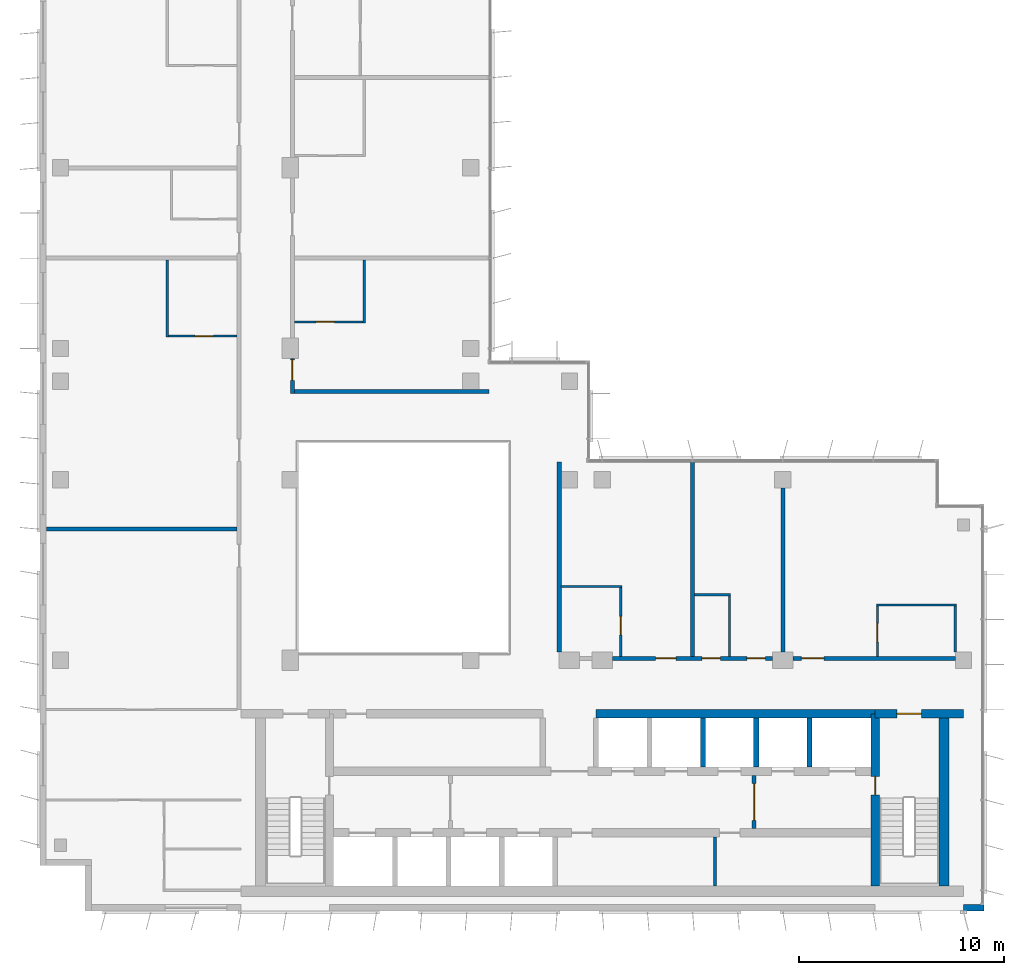
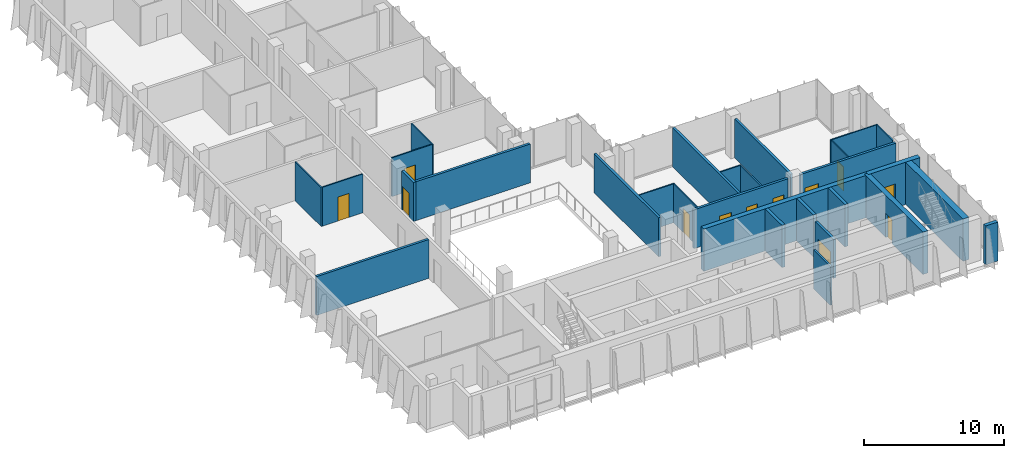
# One storey, part 10 of 15: 29 walls, 12 doors, 12 openings.
"""IFC4 building model written with IfcOpenShell, lengths in metres."""

from ifc_helpers import new_model, si_unit, direction, frame, frame_2d, origin, place, context, subcontext, project, spatial, rectangle, extrude, material, layer, layer_set, type_object, element, fill, save


model = new_model("IFC4")

# Units and contexts
model_context = context("Model", 3, precision=1e-05, world=origin(), true_north=direction((0.0, 1.0)))
body_context = subcontext(model_context, "Body", "Model", "MODEL_VIEW")
ifc_project = project(units=[si_unit("LENGTHUNIT", "METRE"), si_unit("AREAUNIT", "SQUARE_METRE"), si_unit("VOLUMEUNIT", "CUBIC_METRE"), si_unit("PLANEANGLEUNIT", "RADIAN"), si_unit("MASSUNIT", "GRAM", prefix="KILO")], contexts=[model_context])

# Site, building, storey
site_placement = place(None, origin())
site = spatial("IfcSite", under=ifc_project, at=site_placement, CompositionType="ELEMENT")
building_placement = place(site_placement, origin())
building = spatial("IfcBuilding", under=site, at=building_placement, Name="Kemantara Hotel Tower", CompositionType="ELEMENT")
storey_placement = place(building_placement, frame((0.0, 0.0, 261.10009765625)))
storey = spatial("IfcBuildingStorey", under=building, at=storey_placement, Name="L65", CompositionType="ELEMENT", Elevation=261.10009765625)

# Walls
ifc_material_1 = material(Name="Bronze anodised aluminium cladding on insulated steel stud wall", Category="steel")
ifc_layer_1 = layer(ifc_material_1, 0.300048828125)
ifc_layer_set_1 = layer_set([ifc_layer_1], Name="Bronze anodised aluminium cladding on insulated steel stud wall")
wall_type_1 = type_object("IfcWallType", Name="BRONZE METAL-CLAD EXTERNAL WALL 300", PredefinedType="STANDARD", material=ifc_layer_set_1)
wall_1_placement = place(storey_placement, frame((45.0, 0.14990234375, 0.0), z_axis=(0.0, 0.0, 1.0), x_axis=(1.0, 0.0, 0.0)))
element("IfcWall", 1, at=wall_1_placement, inside=storey, type_object=wall_type_1, Name="EXTERNAL WALL L65 T4-R08-3", PredefinedType="STANDARD", context=body_context, shape_type="SweptSolid", body=[
    extrude(rectangle(XDim=1.0, YDim=0.300048828125, at=frame_2d((0.5, 0.0))), origin(), (0.0, 0.0, 1.0), 3.39990234375),
])
ifc_material_2 = material(Name="Concrete fc 50 MPa", Category="concrete")
ifc_layer_2 = layer(ifc_material_2, 0.25)
ifc_layer_set_2 = layer_set([ifc_layer_2], Name="Concrete fc 50 MPa")
wall_type_2 = type_object("IfcWallType", Name="CORE WALL 250 FC50", PredefinedType="SHEAR", material=ifc_layer_set_2)
for number, where, z_axis, x_axis, name in (
    (2, (32.300048828125, 7.0, 0.0), (0.0, 0.0, 1.0), (0.0, 1.0, 0.0), "CORE WALL CW-DN32.3"),
    (3, (34.89990234375, 7.0, 0.0), (0.0, 0.0, 1.0), (0.0, 1.0, 0.0), "CORE WALL CW-DN34.9"),
    (4, (37.5, 7.0, 0.0), (0.0, 0.0, 1.0), (0.0, 1.0, 0.0), "CORE WALL CW-DN37.5"),
):
    element("IfcWall", number, at=place(storey_placement, frame(where, z_axis=z_axis, x_axis=x_axis)), inside=storey, type_object=wall_type_2, Name=name, PredefinedType="SHEAR", context=body_context, shape_type="SweptSolid", body=[
        extrude(rectangle(XDim=2.39990234375, YDim=0.25, at=frame_2d((1.199951171875, 0.0))), origin(), (0.0, 0.0, 1.0), 3.699951171875),
    ])

# Wall, opening, door
ifc_layer_3 = layer(ifc_material_2, 0.39990234375)
ifc_layer_set_3 = layer_set([ifc_layer_3], Name="Concrete fc 50 MPa")
wall_type_3 = type_object("IfcWallType", Name="CORE WALL 400 FC50", PredefinedType="SHEAR", material=ifc_layer_set_3)
wall_2_placement = place(storey_placement, frame((40.699951171875, 9.60009765625, 0.0), z_axis=(0.0, 0.0, 1.0), x_axis=(1.0, 0.0, 0.0)))
wall_2 = element("IfcWall", 5, at=wall_2_placement, inside=storey, type_object=wall_type_3, Name="CORE WALL CW-N2", PredefinedType="SHEAR", context=body_context, shape_type="SweptSolid", body=[
    extrude(rectangle(XDim=4.300048828125, YDim=0.39990234375, at=frame_2d((2.14990234375, 0.0))), origin(), (0.0, 0.0, 1.0), 3.699951171875),
])
opening_1_placement = place(wall_2_placement, frame((1.050048828125, 0.0, 0.0)))
opening_1 = element("IfcOpeningElement", 6, at=opening_1_placement, cuts=wall_2, Name="Opening C39-ST2-C", PredefinedType="OPENING", context=body_context, shape_type="SweptSolid", body=[
    extrude(rectangle(XDim=1.199951171875, YDim=2.10009765625, at=frame_2d((0.60009765625, 1.050048828125))), frame((0.0, 0.2099609375, 0.0), z_axis=(0.0, -1.0, 0.0), x_axis=(1.0, 0.0, 0.0)), (0.0, 0.0, 1.0), 0.419921875),
])
ifc_material_3 = material(Name="Steel fire door", Category="steel")
door_type_1 = type_object("IfcDoorType", Name="Fire door FD90 1200 x 2100", OperationType="NOTDEFINED", PredefinedType="DOOR", material=ifc_material_3)
door_1_placement = place(opening_1_placement, frame((1.199951171875, 0.0, 0.0), z_axis=(0.0, 0.0, 1.0), x_axis=(-1.0, 0.0, 0.0)))
door_1 = element("IfcDoor", 7, at=door_1_placement, inside=storey, type_object=door_type_1, Name="Stair ST2 door to corridor", OperationType="SINGLE_SWING_RIGHT", OverallHeight=2.10009765625, OverallWidth=1.199951171875, PredefinedType="DOOR", context=body_context, shape_type="SweptSolid", body=[
    extrude(rectangle(XDim=1.199951171875, YDim=2.10009765625, at=frame_2d((0.60009765625, 1.050048828125))), frame((0.0, 0.02490234375, 0.0), z_axis=(0.0, -1.0, 0.0), x_axis=(1.0, 0.0, 0.0)), (0.0, 0.0, 1.0), 0.050048828125),
])
fill(opening_1, door_1)

# Wall
wall_3_placement = place(storey_placement, frame((27.10009765625, 9.60009765625, 0.0), z_axis=(0.0, 0.0, 1.0), x_axis=(1.0, 0.0, 0.0)))
element("IfcWall", 8, at=wall_3_placement, inside=storey, type_object=wall_type_3, Name="CORE WALL CW-NN2", PredefinedType="SHEAR", context=body_context, shape_type="SweptSolid", body=[
    extrude(rectangle(XDim=13.599853515625, YDim=0.39990234375, at=frame_2d((6.7998046875, 0.0))), origin(), (0.0, 0.0, 1.0), 3.699951171875),
])

# Wall, opening, door
wall_4_placement = place(storey_placement, frame((40.699951171875, 1.199951171875, 0.0), z_axis=(0.0, 0.0, 1.0), x_axis=(0.0, 1.0, 0.0)))
wall_4 = element("IfcWall", 9, at=wall_4_placement, inside=storey, type_object=wall_type_3, Name="CORE WALL CW-ST2W", PredefinedType="SHEAR", context=body_context, shape_type="SweptSolid", body=[
    extrude(rectangle(XDim=8.400146484375, YDim=0.39990234375, at=frame_2d((4.2001953125, 0.0))), origin(), (0.0, 0.0, 1.0), 3.699951171875),
])
opening_2_placement = place(wall_4_placement, frame((4.449951171875, 0.0, 0.0)))
opening_2 = element("IfcOpeningElement", 10, at=opening_2_placement, cuts=wall_4, Name="Opening C39-ST2-F", PredefinedType="OPENING", context=body_context, shape_type="SweptSolid", body=[
    extrude(rectangle(XDim=0.89990234375, YDim=2.10009765625, at=frame_2d((0.449951171875, 1.050048828125))), frame((0.0, 0.2099609375, 0.0), z_axis=(0.0, -1.0, 0.0), x_axis=(1.0, 0.0, 0.0)), (0.0, 0.0, 1.0), 0.419921875),
])
door_type_2 = type_object("IfcDoorType", Name="Fire door FD90 900 x 2100", OperationType="NOTDEFINED", PredefinedType="DOOR", material=ifc_material_3)
door_2_placement = place(opening_2_placement, frame((0.89990234375, 0.0, 0.0), z_axis=(0.0, 0.0, 1.0), x_axis=(-1.0, 0.0, 0.0)))
door_2 = element("IfcDoor", 11, at=door_2_placement, inside=storey, type_object=door_type_2, Name="Stair ST2 door to firefighting lobby", OperationType="SINGLE_SWING_LEFT", OverallHeight=2.10009765625, OverallWidth=0.89990234375, PredefinedType="DOOR", context=body_context, shape_type="SweptSolid", body=[
    extrude(rectangle(XDim=0.89990234375, YDim=2.10009765625, at=frame_2d((0.449951171875, 1.050048828125))), frame((0.0, 0.02490234375, 0.0), z_axis=(0.0, -1.0, 0.0), x_axis=(1.0, 0.0, 0.0)), (0.0, 0.0, 1.0), 0.050048828125),
])
fill(opening_2, door_2)

# Wall
ifc_layer_4 = layer(ifc_material_2, 0.5)
ifc_layer_set_4 = layer_set([ifc_layer_4], Name="Concrete fc 50 MPa")
wall_type_4 = type_object("IfcWallType", Name="CORE WALL 500 FC50", PredefinedType="SHEAR", material=ifc_layer_set_4)
wall_5_placement = place(storey_placement, frame((44.050048828125, 1.199951171875, 0.0), z_axis=(0.0, 0.0, 1.0), x_axis=(0.0, 1.0, 0.0)))
element("IfcWall", 12, at=wall_5_placement, inside=storey, type_object=wall_type_4, Name="CORE WALL CW-E", PredefinedType="SHEAR", context=body_context, shape_type="SweptSolid", body=[
    extrude(rectangle(XDim=8.60009765625, YDim=0.5, at=frame_2d((4.300048828125, 0.0))), origin(), (0.0, 0.0, 1.0), 3.699951171875),
])

# Wall, openings, doors
ifc_material_4 = material(Name="Gypsum board partition, steel studs and mineral wool, 200 mm", Category="steel")
ifc_layer_5 = layer(ifc_material_4, 0.199951171875)
ifc_layer_set_5 = layer_set([ifc_layer_5], Name="Gypsum board partition, steel studs and mineral wool, 200 mm")
wall_type_5 = type_object("IfcWallType", Name="CORRIDOR WALL 200", PredefinedType="PARTITIONING", material=ifc_layer_set_5)
wall_6_placement = place(storey_placement, frame((27.900146484375, 12.300048828125, 0.0), z_axis=(0.0, 0.0, 1.0), x_axis=(1.0, 0.0, 0.0)))
wall_6 = element("IfcWall", 13, at=wall_6_placement, inside=storey, type_object=wall_type_5, Name="CORRIDOR WALL 200 002", PredefinedType="PARTITIONING", context=body_context, shape_type="SweptSolid", body=[
    extrude(rectangle(XDim=7.7998046875, YDim=0.199951171875, at=frame_2d((3.89990234375, 0.0))), origin(), (0.0, 0.0, 1.0), 3.39990234375),
])
opening_3_placement = place(wall_6_placement, frame((2.099853515625, 0.0, 0.0)))
opening_3 = element("IfcOpeningElement", 14, at=opening_3_placement, cuts=wall_6, Name="Opening F32-001", PredefinedType="OPENING", context=body_context, shape_type="SweptSolid", body=[
    extrude(rectangle(XDim=1.0, YDim=2.10009765625, at=frame_2d((0.5, 1.050048828125))), frame((0.0, 0.10986328125, 0.0), z_axis=(0.0, -1.0, 0.0), x_axis=(1.0, 0.0, 0.0)), (0.0, 0.0, 1.0), 0.219970703125),
])
opening_4_placement = place(wall_6_placement, frame((6.5498046875, 0.0, 0.0)))
opening_4 = element("IfcOpeningElement", 15, at=opening_4_placement, cuts=wall_6, Name="Opening F32-003", PredefinedType="OPENING", context=body_context, shape_type="SweptSolid", body=[
    extrude(rectangle(XDim=0.89990234375, YDim=2.10009765625, at=frame_2d((0.449951171875, 1.050048828125))), frame((0.0, 0.10986328125, 0.0), z_axis=(0.0, -1.0, 0.0), x_axis=(1.0, 0.0, 0.0)), (0.0, 0.0, 1.0), 0.219970703125),
])
opening_5_placement = place(wall_6_placement, frame((4.349853515625, 0.0, 0.0)))
opening_5 = element("IfcOpeningElement", 16, at=opening_5_placement, cuts=wall_6, Name="Opening F32-004", PredefinedType="OPENING", context=body_context, shape_type="SweptSolid", body=[
    extrude(rectangle(XDim=0.89990234375, YDim=2.10009765625, at=frame_2d((0.449951171875, 1.050048828125))), frame((0.0, 0.10986328125, 0.0), z_axis=(0.0, -1.0, 0.0), x_axis=(1.0, 0.0, 0.0)), (0.0, 0.0, 1.0), 0.219970703125),
])
ifc_material_5 = material(Name="Hardwood veneer door leaf with steel frame", Category="steel")
door_type_3 = type_object("IfcDoorType", Name="GUEST ROOM DOOR 1000 X 2100 FD30S", OperationType="NOTDEFINED", PredefinedType="DOOR", material=ifc_material_5)
door_3_placement = place(opening_3_placement, origin())
door_3 = element("IfcDoor", 17, at=door_3_placement, inside=storey, type_object=door_type_3, Name="GUEST ROOM DOOR F32-001", OperationType="SINGLE_SWING_RIGHT", OverallHeight=2.10009765625, OverallWidth=1.0, PredefinedType="DOOR", context=body_context, shape_type="SweptSolid", body=[
    extrude(rectangle(XDim=1.0, YDim=2.10009765625, at=frame_2d((0.5, 1.050048828125))), frame((0.0, 0.02490234375, 0.0), z_axis=(0.0, -1.0, 0.0), x_axis=(1.0, 0.0, 0.0)), (0.0, 0.0, 1.0), 0.050048828125),
])
fill(opening_3, door_3)
ifc_material_6 = material(Name="Steel door leaf with steel frame", Category="steel")
door_type_4 = type_object("IfcDoorType", Name="SERVICE ROOM DOOR 900 X 2100 FD60", OperationType="NOTDEFINED", PredefinedType="DOOR", material=ifc_material_6)
door_4_placement = place(opening_4_placement, origin())
door_4 = element("IfcDoor", 18, at=door_4_placement, inside=storey, type_object=door_type_4, Name="SERVICE ROOM DOOR F32-003", OperationType="SINGLE_SWING_RIGHT", OverallHeight=2.10009765625, OverallWidth=0.89990234375, PredefinedType="DOOR", context=body_context, shape_type="SweptSolid", body=[
    extrude(rectangle(XDim=0.89990234375, YDim=2.10009765625, at=frame_2d((0.449951171875, 1.050048828125))), frame((0.0, 0.02490234375, 0.0), z_axis=(0.0, -1.0, 0.0), x_axis=(1.0, 0.0, 0.0)), (0.0, 0.0, 1.0), 0.050048828125),
])
fill(opening_4, door_4)
door_5_placement = place(opening_5_placement, origin())
door_5 = element("IfcDoor", 19, at=door_5_placement, inside=storey, type_object=door_type_4, Name="SERVICE ROOM DOOR F32-004", OperationType="SINGLE_SWING_LEFT", OverallHeight=2.10009765625, OverallWidth=0.89990234375, PredefinedType="DOOR", context=body_context, shape_type="SweptSolid", body=[
    extrude(rectangle(XDim=0.89990234375, YDim=2.10009765625, at=frame_2d((0.449951171875, 1.050048828125))), frame((0.0, 0.02490234375, 0.0), z_axis=(0.0, -1.0, 0.0), x_axis=(1.0, 0.0, 0.0)), (0.0, 0.0, 1.0), 0.050048828125),
])
fill(opening_5, door_5)

# Wall, opening, door
wall_7_placement = place(storey_placement, frame((36.7001953125, 12.300048828125, 0.0), z_axis=(0.0, 0.0, 1.0), x_axis=(1.0, 0.0, 0.0)))
wall_7 = element("IfcWall", 20, at=wall_7_placement, inside=storey, type_object=wall_type_5, Name="CORRIDOR WALL 200 003", PredefinedType="PARTITIONING", context=body_context, shape_type="SweptSolid", body=[
    extrude(rectangle(XDim=7.899658203125, YDim=0.199951171875, at=frame_2d((3.94970703125, 0.0))), origin(), (0.0, 0.0, 1.0), 3.39990234375),
])
opening_6_placement = place(wall_7_placement, frame((0.39990234375, 0.0, 0.0)))
opening_6 = element("IfcOpeningElement", 21, at=opening_6_placement, cuts=wall_7, Name="Opening F32-005", PredefinedType="OPENING", context=body_context, shape_type="SweptSolid", body=[
    extrude(rectangle(XDim=1.10009765625, YDim=2.10009765625, at=frame_2d((0.550048828125, 1.050048828125))), frame((0.0, 0.10986328125, 0.0), z_axis=(0.0, -1.0, 0.0), x_axis=(1.0, 0.0, 0.0)), (0.0, 0.0, 1.0), 0.219970703125),
])
door_type_5 = type_object("IfcDoorType", Name="SUITE ENTRANCE DOOR 1100 X 2100 FD30S", OperationType="NOTDEFINED", PredefinedType="DOOR", material=ifc_material_5)
door_6_placement = place(opening_6_placement, origin())
door_6 = element("IfcDoor", 22, at=door_6_placement, inside=storey, type_object=door_type_5, Name="SUITE ENTRANCE DOOR F32-005", OperationType="SINGLE_SWING_LEFT", OverallHeight=2.10009765625, OverallWidth=1.10009765625, PredefinedType="DOOR", context=body_context, shape_type="SweptSolid", body=[
    extrude(rectangle(XDim=1.10009765625, YDim=2.10009765625, at=frame_2d((0.550048828125, 1.050048828125))), frame((0.0, 0.02490234375, 0.0), z_axis=(0.0, -1.0, 0.0), x_axis=(1.0, 0.0, 0.0)), (0.0, 0.0, 1.0), 0.050048828125),
])
fill(opening_6, door_6)

wall_8_placement = place(storey_placement, frame((12.300048828125, 26.89990234375, 0.0), z_axis=(0.0, 0.0, 1.0), x_axis=(0.0, -1.0, 0.0)))
wall_8 = element("IfcWall", 23, at=wall_8_placement, inside=storey, type_object=wall_type_5, Name="CORRIDOR WALL 200 014", PredefinedType="PARTITIONING", context=body_context, shape_type="SweptSolid", body=[
    extrude(rectangle(XDim=1.699951171875, YDim=0.199951171875, at=frame_2d((0.85009765625, 0.0))), origin(), (0.0, 0.0, 1.0), 3.39990234375),
])
opening_7_placement = place(wall_8_placement, frame((0.0498046875, 0.0, 0.0)))
opening_7 = element("IfcOpeningElement", 24, at=opening_7_placement, cuts=wall_8, Name="Opening F32-020", PredefinedType="OPENING", context=body_context, shape_type="SweptSolid", body=[
    extrude(rectangle(XDim=1.0, YDim=2.10009765625, at=frame_2d((0.5, 1.050048828125))), frame((0.0, 0.10986328125, 0.0), z_axis=(0.0, -1.0, 0.0), x_axis=(1.0, 0.0, 0.0)), (0.0, 0.0, 1.0), 0.219970703125),
])
door_7_placement = place(opening_7_placement, origin())
door_7 = element("IfcDoor", 25, at=door_7_placement, inside=storey, type_object=door_type_3, Name="GUEST ROOM DOOR F32-020", OperationType="SINGLE_SWING_RIGHT", OverallHeight=2.10009765625, OverallWidth=1.0, PredefinedType="DOOR", context=body_context, shape_type="SweptSolid", body=[
    extrude(rectangle(XDim=1.0, YDim=2.10009765625, at=frame_2d((0.5, 1.050048828125))), frame((0.0, 0.02490234375, 0.0), z_axis=(0.0, -1.0, 0.0), x_axis=(1.0, 0.0, 0.0)), (0.0, 0.0, 1.0), 0.050048828125),
])
fill(opening_7, door_7)

# Walls
ifc_layer_6 = layer(ifc_material_4, 0.199951171875)
ifc_layer_set_6 = layer_set([ifc_layer_6], Name="Gypsum board partition, steel studs and mineral wool, 200 mm")
wall_type_6 = type_object("IfcWallType", Name="GUEST ROOM PARTY WALL 200", PredefinedType="PARTITIONING", material=ifc_layer_set_6)
wall_9_placement = place(storey_placement, frame((25.300048828125, 12.60009765625, 0.0), z_axis=(0.0, 0.0, 1.0), x_axis=(0.0, 1.0, 0.0)))
element("IfcWall", 26, at=wall_9_placement, inside=storey, type_object=wall_type_6, Name="GUEST ROOM PARTY WALL 200 004", PredefinedType="PARTITIONING", context=body_context, shape_type="SweptSolid", body=[
    extrude(rectangle(XDim=9.27001953125, YDim=0.199951171875, at=frame_2d((4.635009765625, 0.0))), origin(), (0.0, 0.0, 1.0), 3.39990234375),
])
wall_10_placement = place(storey_placement, frame((31.800048828125, 12.39990234375, 0.0), z_axis=(0.0, 0.0, 1.0), x_axis=(0.0, 1.0, 0.0)))
element("IfcWall", 27, at=wall_10_placement, inside=storey, type_object=wall_type_6, Name="GUEST ROOM PARTY WALL 200 005", PredefinedType="PARTITIONING", context=body_context, shape_type="SweptSolid", body=[
    extrude(rectangle(XDim=9.47021484375, YDim=0.199951171875, at=frame_2d((4.735107421875, 0.0))), origin(), (0.0, 0.0, 1.0), 3.39990234375),
])
wall_11_placement = place(storey_placement, frame((36.199951171875, 12.60009765625, 0.0), z_axis=(0.0, 0.0, 1.0), x_axis=(0.0, 1.0, 0.0)))
element("IfcWall", 28, at=wall_11_placement, inside=storey, type_object=wall_type_6, Name="GUEST ROOM PARTY WALL 200 006", PredefinedType="PARTITIONING", context=body_context, shape_type="SweptSolid", body=[
    extrude(rectangle(XDim=7.999755859375, YDim=0.199951171875, at=frame_2d((4.0, 0.0))), origin(), (0.0, 0.0, 1.0), 3.39990234375),
])
wall_12_placement = place(storey_placement, frame((0.31005859375, 18.60009765625, 0.0), z_axis=(0.0, 0.0, 1.0), x_axis=(1.0, 0.0, 0.0)))
element("IfcWall", 29, at=wall_12_placement, inside=storey, type_object=wall_type_6, Name="GUEST ROOM PARTY WALL 200 009", PredefinedType="PARTITIONING", context=body_context, shape_type="SweptSolid", body=[
    extrude(rectangle(XDim=9.2900390625, YDim=0.199951171875, at=frame_2d((4.64501953125, 0.0))), origin(), (0.0, 0.0, 1.0), 3.39990234375),
])
wall_13_placement = place(storey_placement, frame((12.39990234375, 25.300048828125, 0.0), z_axis=(0.0, 0.0, 1.0), x_axis=(1.0, 0.0, 0.0)))
element("IfcWall", 30, at=wall_13_placement, inside=storey, type_object=wall_type_6, Name="GUEST ROOM PARTY WALL 200 019", PredefinedType="PARTITIONING", context=body_context, shape_type="SweptSolid", body=[
    extrude(rectangle(XDim=9.47021484375, YDim=0.199951171875, at=frame_2d((4.735107421875, 0.0))), origin(), (0.0, 0.0, 1.0), 3.39990234375),
])
ifc_material_7 = material(Name="Gypsum board partition")
ifc_layer_7 = layer(ifc_material_7, 0.14990234375)
ifc_layer_set_7 = layer_set([ifc_layer_7], Name="Gypsum board partition")
wall_type_7 = type_object("IfcWallType", Name="Gypsum board partition 150 mm", PredefinedType="PARTITIONING", material=ifc_layer_set_7)
wall_14_placement = place(storey_placement, frame((32.89990234375, 1.199951171875, 0.0), z_axis=(0.0, 0.0, 1.0), x_axis=(0.0, 1.0, 0.0)))
element("IfcWall", 31, at=wall_14_placement, inside=storey, type_object=wall_type_7, Name="Core room partition", PredefinedType="PARTITIONING", context=body_context, shape_type="SweptSolid", body=[
    extrude(rectangle(XDim=2.400146484375, YDim=0.14990234375, at=frame_2d((1.2001953125, 0.0))), origin(), (0.0, 0.0, 1.0), 3.39990234375),
])

# Wall, opening, door
ifc_material_8 = material(Name="Gypsum board shaft wall")
ifc_layer_8 = layer(ifc_material_8, 0.199951171875)
ifc_layer_set_8 = layer_set([ifc_layer_8], Name="Gypsum board shaft wall")
wall_type_8 = type_object("IfcWallType", Name="Gypsum board shaft wall 200 mm", PredefinedType="PARTITIONING", material=ifc_layer_set_8)
wall_15_placement = place(storey_placement, frame((34.800048828125, 4.0, 0.0), z_axis=(0.0, 0.0, 1.0), x_axis=(0.0, 1.0, 0.0)))
wall_15 = element("IfcWall", 32, at=wall_15_placement, inside=storey, type_object=wall_type_8, Name="Firefighting lobby partition east", PredefinedType="PARTITIONING", context=body_context, shape_type="SweptSolid", body=[
    extrude(rectangle(XDim=2.60009765625, YDim=0.199951171875, at=frame_2d((1.300048828125, 0.0))), origin(), (0.0, 0.0, 1.0), 3.39990234375),
])
opening_8_placement = place(wall_15_placement, frame((0.39990234375, 0.0, 0.0)))
opening_8 = element("IfcOpeningElement", 33, at=opening_8_placement, cuts=wall_15, Name="Opening C39-FFE", PredefinedType="OPENING", context=body_context, shape_type="SweptSolid", body=[
    extrude(rectangle(XDim=1.800048828125, YDim=2.10009765625, at=frame_2d((0.89990234375, 1.050048828125))), frame((0.0, 0.10986328125, 0.0), z_axis=(0.0, -1.0, 0.0), x_axis=(1.0, 0.0, 0.0)), (0.0, 0.0, 1.0), 0.219970703125),
])
door_type_6 = type_object("IfcDoorType", Name="Fire door pair FD60 1800 x 2100", OperationType="DOUBLE_DOOR_SINGLE_SWING", PredefinedType="DOOR", material=ifc_material_3)
door_8_placement = place(opening_8_placement, frame((1.800048828125, 0.0, 0.0), z_axis=(0.0, 0.0, 1.0), x_axis=(-1.0, 0.0, 0.0)))
door_8 = element("IfcDoor", 34, at=door_8_placement, inside=storey, type_object=door_type_6, Name="Firefighting lobby door east", OperationType="DOUBLE_DOOR_SINGLE_SWING", OverallHeight=2.10009765625, OverallWidth=1.800048828125, PredefinedType="DOOR", context=body_context, shape_type="SweptSolid", body=[
    extrude(rectangle(XDim=1.800048828125, YDim=2.10009765625, at=frame_2d((0.89990234375, 1.050048828125))), frame((0.0, 0.02490234375, 0.0), z_axis=(0.0, -1.0, 0.0), x_axis=(1.0, 0.0, 0.0)), (0.0, 0.0, 1.0), 0.050048828125),
])
fill(opening_8, door_8)

# Wall
ifc_material_9 = material(Name="Gypsum board partition on steel studs, 100 mm", Category="steel")
ifc_layer_9 = layer(ifc_material_9, 0.10009765625)
ifc_layer_set_9 = layer_set([ifc_layer_9], Name="Gypsum board partition on steel studs, 100 mm")
wall_type_9 = type_object("IfcWallType", Name="ROOM PARTITION 100", PredefinedType="PARTITIONING", material=ifc_layer_set_9)
wall_16_placement = place(storey_placement, frame((25.39990234375, 15.800048828125, 0.0), z_axis=(0.0, 0.0, 1.0), x_axis=(1.0, 0.0, 0.0)))
element("IfcWall", 35, at=wall_16_placement, inside=storey, type_object=wall_type_9, Name="ROOM PARTITION 100 022", PredefinedType="PARTITIONING", context=body_context, shape_type="SweptSolid", body=[
    extrude(rectangle(XDim=2.9501953125, YDim=0.10009765625, at=frame_2d((1.47509765625, 0.0))), origin(), (0.0, 0.0, 1.0), 3.39990234375),
])

# Wall, opening, door
wall_17_placement = place(storey_placement, frame((28.300048828125, 12.39990234375, 0.0), z_axis=(0.0, 0.0, 1.0), x_axis=(0.0, 1.0, 0.0)))
wall_17 = element("IfcWall", 36, at=wall_17_placement, inside=storey, type_object=wall_type_9, Name="ROOM PARTITION 100 023", PredefinedType="PARTITIONING", context=body_context, shape_type="SweptSolid", body=[
    extrude(rectangle(XDim=3.35009765625, YDim=0.10009765625, at=frame_2d((1.675048828125, 0.0))), origin(), (0.0, 0.0, 1.0), 3.39990234375),
])
opening_9_placement = place(wall_17_placement, frame((1.050048828125, 0.0, 0.0)))
opening_9 = element("IfcOpeningElement", 37, at=opening_9_placement, cuts=wall_17, Name="Opening F32-002", PredefinedType="OPENING", context=body_context, shape_type="SweptSolid", body=[
    extrude(rectangle(XDim=0.89990234375, YDim=2.10009765625, at=frame_2d((0.449951171875, 1.050048828125))), frame((0.0, 0.06005859375, 0.0), z_axis=(0.0, -1.0, 0.0), x_axis=(1.0, 0.0, 0.0)), (0.0, 0.0, 1.0), 0.1201171875),
])
door_type_7 = type_object("IfcDoorType", Name="BATHROOM DOOR 900 X 2100", OperationType="NOTDEFINED", PredefinedType="DOOR", material=ifc_material_5)
door_9_placement = place(opening_9_placement, origin())
door_9 = element("IfcDoor", 38, at=door_9_placement, inside=storey, type_object=door_type_7, Name="BATHROOM DOOR F32-002", OperationType="SINGLE_SWING_LEFT", OverallHeight=2.10009765625, OverallWidth=0.89990234375, PredefinedType="DOOR", context=body_context, shape_type="SweptSolid", body=[
    extrude(rectangle(XDim=0.89990234375, YDim=2.10009765625, at=frame_2d((0.449951171875, 1.050048828125))), frame((0.0, 0.02490234375, 0.0), z_axis=(0.0, -1.0, 0.0), x_axis=(1.0, 0.0, 0.0)), (0.0, 0.0, 1.0), 0.050048828125),
])
fill(opening_9, door_9)

# Walls
wall_18_placement = place(storey_placement, frame((31.89990234375, 15.39990234375, 0.0), z_axis=(0.0, 0.0, 1.0), x_axis=(1.0, 0.0, 0.0)))
element("IfcWall", 39, at=wall_18_placement, inside=storey, type_object=wall_type_9, Name="ROOM PARTITION 100 024", PredefinedType="PARTITIONING", context=body_context, shape_type="SweptSolid", body=[
    extrude(rectangle(XDim=1.75, YDim=0.10009765625, at=frame_2d((0.875, 0.0))), origin(), (0.0, 0.0, 1.0), 3.39990234375),
])
wall_19_placement = place(storey_placement, frame((33.60009765625, 12.39990234375, 0.0), z_axis=(0.0, 0.0, 1.0), x_axis=(0.0, 1.0, 0.0)))
element("IfcWall", 40, at=wall_19_placement, inside=storey, type_object=wall_type_9, Name="ROOM PARTITION 100 025", PredefinedType="PARTITIONING", context=body_context, shape_type="SweptSolid", body=[
    extrude(rectangle(XDim=2.9501953125, YDim=0.10009765625, at=frame_2d((1.47509765625, 0.0))), origin(), (0.0, 0.0, 1.0), 3.39990234375),
])
wall_20_placement = place(storey_placement, frame((40.75, 14.89990234375, 0.0), z_axis=(0.0, 0.0, 1.0), x_axis=(1.0, 0.0, 0.0)))
element("IfcWall", 41, at=wall_20_placement, inside=storey, type_object=wall_type_9, Name="ROOM PARTITION 100 026", PredefinedType="PARTITIONING", context=body_context, shape_type="SweptSolid", body=[
    extrude(rectangle(XDim=3.89990234375, YDim=0.10009765625, at=frame_2d((1.949951171875, 0.0))), origin(), (0.0, 0.0, 1.0), 3.39990234375),
])

# Wall, opening, door
wall_21_placement = place(storey_placement, frame((40.800048828125, 14.85009765625, 0.0), z_axis=(0.0, 0.0, 1.0), x_axis=(0.0, -1.0, 0.0)))
wall_21 = element("IfcWall", 42, at=wall_21_placement, inside=storey, type_object=wall_type_9, Name="ROOM PARTITION 100 027", PredefinedType="PARTITIONING", context=body_context, shape_type="SweptSolid", body=[
    extrude(rectangle(XDim=2.4501953125, YDim=0.10009765625, at=frame_2d((1.22509765625, 0.0))), origin(), (0.0, 0.0, 1.0), 3.39990234375),
])
opening_10_placement = place(wall_21_placement, frame((0.85009765625, 0.0, 0.0)))
opening_10 = element("IfcOpeningElement", 43, at=opening_10_placement, cuts=wall_21, Name="Opening F32-006", PredefinedType="OPENING", context=body_context, shape_type="SweptSolid", body=[
    extrude(rectangle(XDim=0.89990234375, YDim=2.10009765625, at=frame_2d((0.449951171875, 1.050048828125))), frame((0.0, 0.06005859375, 0.0), z_axis=(0.0, -1.0, 0.0), x_axis=(1.0, 0.0, 0.0)), (0.0, 0.0, 1.0), 0.1201171875),
])
door_10_placement = place(opening_10_placement, origin())
door_10 = element("IfcDoor", 44, at=door_10_placement, inside=storey, type_object=door_type_7, Name="BATHROOM DOOR F32-006", OperationType="SINGLE_SWING_RIGHT", OverallHeight=2.10009765625, OverallWidth=0.89990234375, PredefinedType="DOOR", context=body_context, shape_type="SweptSolid", body=[
    extrude(rectangle(XDim=0.89990234375, YDim=2.10009765625, at=frame_2d((0.449951171875, 1.050048828125))), frame((0.0, 0.02490234375, 0.0), z_axis=(0.0, -1.0, 0.0), x_axis=(1.0, 0.0, 0.0)), (0.0, 0.0, 1.0), 0.050048828125),
])
fill(opening_10, door_10)

# Walls
wall_22_placement = place(storey_placement, frame((44.60009765625, 12.60009765625, 0.0), z_axis=(0.0, 0.0, 1.0), x_axis=(0.0, 1.0, 0.0)))
element("IfcWall", 45, at=wall_22_placement, inside=storey, type_object=wall_type_9, Name="ROOM PARTITION 100 028", PredefinedType="PARTITIONING", context=body_context, shape_type="SweptSolid", body=[
    extrude(rectangle(XDim=2.25, YDim=0.10009765625, at=frame_2d((1.125, 0.0))), origin(), (0.0, 0.0, 1.0), 3.39990234375),
])
wall_23_placement = place(storey_placement, frame((6.199951171875, 27.949951171875, 0.0), z_axis=(0.0, 0.0, 1.0), x_axis=(0.0, 1.0, 0.0)))
element("IfcWall", 46, at=wall_23_placement, inside=storey, type_object=wall_type_9, Name="ROOM PARTITION 100 034", PredefinedType="PARTITIONING", context=body_context, shape_type="SweptSolid", body=[
    extrude(rectangle(XDim=3.75, YDim=0.10009765625, at=frame_2d((1.875, 0.0))), origin(), (0.0, 0.0, 1.0), 3.39990234375),
])

# Wall, opening, door
wall_24_placement = place(storey_placement, frame((6.25, 28.0, 0.0), z_axis=(0.0, 0.0, 1.0), x_axis=(1.0, 0.0, 0.0)))
wall_24 = element("IfcWall", 47, at=wall_24_placement, inside=storey, type_object=wall_type_9, Name="ROOM PARTITION 100 037", PredefinedType="PARTITIONING", context=body_context, shape_type="SweptSolid", body=[
    extrude(rectangle(XDim=3.35009765625, YDim=0.10009765625, at=frame_2d((1.675048828125, 0.0))), origin(), (0.0, 0.0, 1.0), 3.39990234375),
])
opening_11_placement = place(wall_24_placement, frame((1.300048828125, 0.0, 0.0)))
opening_11 = element("IfcOpeningElement", 48, at=opening_11_placement, cuts=wall_24, Name="Opening F32-013", PredefinedType="OPENING", context=body_context, shape_type="SweptSolid", body=[
    extrude(rectangle(XDim=0.89990234375, YDim=2.10009765625, at=frame_2d((0.449951171875, 1.050048828125))), frame((0.0, 0.06005859375, 0.0), z_axis=(0.0, -1.0, 0.0), x_axis=(1.0, 0.0, 0.0)), (0.0, 0.0, 1.0), 0.1201171875),
])
door_11_placement = place(opening_11_placement, origin())
door_11 = element("IfcDoor", 49, at=door_11_placement, inside=storey, type_object=door_type_7, Name="BATHROOM DOOR F32-013", OperationType="SINGLE_SWING_RIGHT", OverallHeight=2.10009765625, OverallWidth=0.89990234375, PredefinedType="DOOR", context=body_context, shape_type="SweptSolid", body=[
    extrude(rectangle(XDim=0.89990234375, YDim=2.10009765625, at=frame_2d((0.449951171875, 1.050048828125))), frame((0.0, 0.02490234375, 0.0), z_axis=(0.0, -1.0, 0.0), x_axis=(1.0, 0.0, 0.0)), (0.0, 0.0, 1.0), 0.050048828125),
])
fill(opening_11, door_11)

# Wall
wall_25_placement = place(storey_placement, frame((15.800048828125, 28.64990234375, 0.0), z_axis=(0.0, 0.0, 1.0), x_axis=(0.0, 1.0, 0.0)))
element("IfcWall", 50, at=wall_25_placement, inside=storey, type_object=wall_type_9, Name="ROOM PARTITION 100 042", PredefinedType="PARTITIONING", context=body_context, shape_type="SweptSolid", body=[
    extrude(rectangle(XDim=3.050048828125, YDim=0.10009765625, at=frame_2d((1.52490234375, 0.0))), origin(), (0.0, 0.0, 1.0), 3.39990234375),
])

# Wall, opening, door
wall_26_placement = place(storey_placement, frame((12.39990234375, 28.699951171875, 0.0), z_axis=(0.0, 0.0, 1.0), x_axis=(1.0, 0.0, 0.0)))
wall_26 = element("IfcWall", 51, at=wall_26_placement, inside=storey, type_object=wall_type_9, Name="ROOM PARTITION 100 044", PredefinedType="PARTITIONING", context=body_context, shape_type="SweptSolid", body=[
    extrude(rectangle(XDim=3.35009765625, YDim=0.10009765625, at=frame_2d((1.675048828125, 0.0))), origin(), (0.0, 0.0, 1.0), 3.39990234375),
])
opening_12_placement = place(wall_26_placement, frame((1.050048828125, 0.0, 0.0)))
opening_12 = element("IfcOpeningElement", 52, at=opening_12_placement, cuts=wall_26, Name="Opening F32-021", PredefinedType="OPENING", context=body_context, shape_type="SweptSolid", body=[
    extrude(rectangle(XDim=0.89990234375, YDim=2.10009765625, at=frame_2d((0.449951171875, 1.050048828125))), frame((0.0, 0.06005859375, 0.0), z_axis=(0.0, -1.0, 0.0), x_axis=(1.0, 0.0, 0.0)), (0.0, 0.0, 1.0), 0.1201171875),
])
door_12_placement = place(opening_12_placement, origin())
door_12 = element("IfcDoor", 53, at=door_12_placement, inside=storey, type_object=door_type_7, Name="BATHROOM DOOR F32-021", OperationType="SINGLE_SWING_LEFT", OverallHeight=2.10009765625, OverallWidth=0.89990234375, PredefinedType="DOOR", context=body_context, shape_type="SweptSolid", body=[
    extrude(rectangle(XDim=0.89990234375, YDim=2.10009765625, at=frame_2d((0.449951171875, 1.050048828125))), frame((0.0, 0.02490234375, 0.0), z_axis=(0.0, -1.0, 0.0), x_axis=(1.0, 0.0, 0.0)), (0.0, 0.0, 1.0), 0.050048828125),
])
fill(opening_12, door_12)

save(model, "model.ifc")
